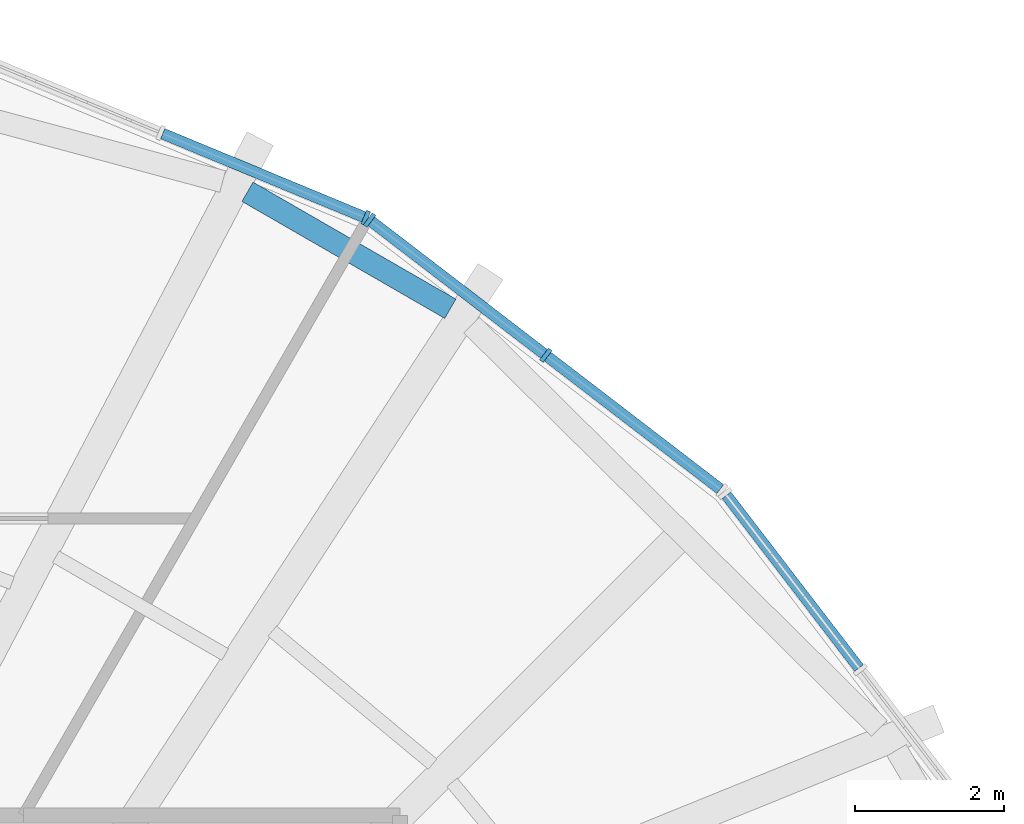
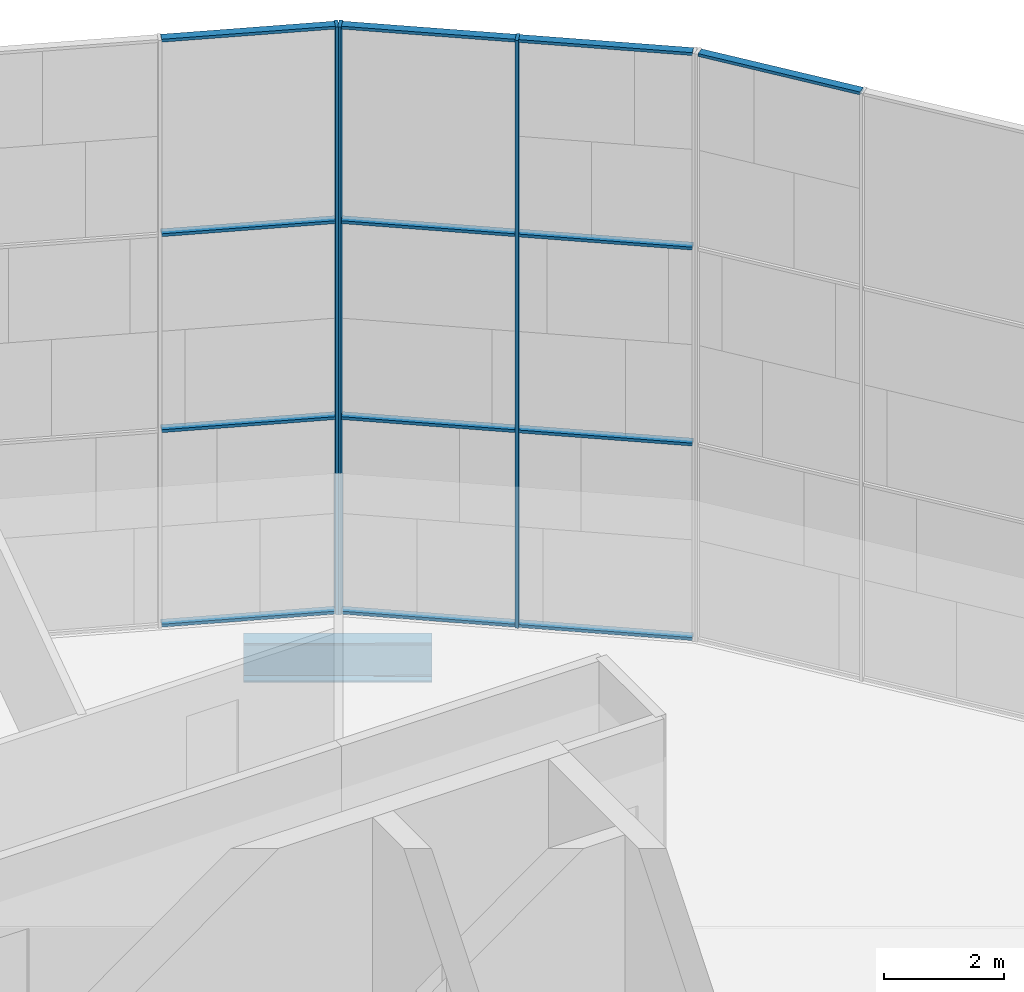
# One storey, part 8 of 23: 16 members, 1 beam, 3 elements without a shape of their own.
"""IFC4 building model written with IfcOpenShell, lengths in metres."""

from ifc_helpers import new_model, si_unit, direction, frame, origin, origin_2d, place, context, subcontext, project, spatial, rectangle, i_section, extrude, material, material_profile, profile_set, type_object, element, aggregate, save


model = new_model("IFC4")

# Units and contexts
model_context = context("Model", 3, precision=1e-05, world=origin(), true_north=direction((0.0, 1.0)))
body_context = subcontext(model_context, "Body", "Model", "MODEL_VIEW")
ifc_project = project(units=[si_unit("LENGTHUNIT", "METRE"), si_unit("AREAUNIT", "SQUARE_METRE"), si_unit("VOLUMEUNIT", "CUBIC_METRE"), si_unit("PLANEANGLEUNIT", "RADIAN"), si_unit("MASSUNIT", "GRAM", prefix="KILO")], contexts=[model_context])

# Site, building, storey
site_placement = place(None, origin())
site = spatial("IfcSite", under=ifc_project, at=site_placement, CompositionType="ELEMENT")
building_placement = place(site_placement, origin())
building = spatial("IfcBuilding", under=site, at=building_placement, Name="Golbaran Civic Tower", CompositionType="ELEMENT")
storey_placement = place(building_placement, frame((0.0, 0.0, 220.0)))
storey = spatial("IfcBuildingStorey", under=building, at=storey_placement, Name="L53", CompositionType="ELEMENT", Elevation=220.0)

# Beam
ifc_material_1 = material(Name="Steel S355", Category="steel")
ifc_material_profile_1 = material_profile(ifc_material_1, i_section(OverallWidth=0.300048828125, OverallDepth=0.800048828125, WebThickness=0.017578125, FlangeThickness=0.032958984375, FilletRadius=0.030029296875, at=origin_2d()), Name="HEB 800")
ifc_profile_set_1 = profile_set([ifc_material_profile_1], Name="Steel S355")
beam_type = type_object("IfcBeamType", Name="EDGE BEAM HEB 800", PredefinedType="BEAM", material=ifc_profile_set_1)
beam_placement = place(storey_placement, frame((12.677001953125, 18.82177734375, -0.60009765625), z_axis=(-0.866234572261, 0.499637534438, 0.0), x_axis=(-0.499637534438, -0.866234572261, 0.0)))
element("IfcBeam", 1, at=beam_placement, inside=storey, type_object=beam_type, Name="Edge beam 55.65 L53", PredefinedType="BEAM", context=body_context, shape_type="SweptSolid", body=[
    extrude(i_section(OverallWidth=0.300048828125, OverallDepth=0.800048828125, WebThickness=0.017578125, FlangeThickness=0.032958984375, FilletRadius=0.030029296875, at=origin_2d()), origin(), (0.0, 0.0, 1.0), 3.152587890625),
])

# Curtain wall, members
ifc_material_2 = material(Name="Aluminium and glass", Category="aluminium")
curtain_wall_type = type_object("IfcCurtainWallType", Name="INNER SKIN CURTAIN WALL EXECUTIVE", PredefinedType="NOTDEFINED", material=ifc_material_2)
curtain_wall_1_placement = place(storey_placement, origin())
curtain_wall_1 = element("IfcCurtainWall", 2, at=curtain_wall_1_placement, inside=storey, type_object=curtain_wall_type, Name="Inner skin L53 facet 4 CW2", ObjectType="INNER SKIN", PredefinedType="USERDEFINED")
ifc_material_3 = material(Name="Aluminium", Category="aluminium")
ifc_material_profile_2 = material_profile(ifc_material_3, rectangle(XDim=0.199951171875, YDim=0.06005859375, at=origin_2d()), Name="INNER SKIN CURTAIN WALL EXECUTIVE MULLION")
ifc_profile_set_2 = profile_set([ifc_material_profile_2], Name="Aluminium")
member_type_1 = type_object("IfcMemberType", Name="INNER SKIN CURTAIN WALL EXECUTIVE MULLION", PredefinedType="MULLION", material=ifc_profile_set_2)
member_1_placement = place(storey_placement, frame((13.962646484375, 18.196533203125, 0.0), z_axis=(0.0, 0.0, 1.0), x_axis=(-0.608761428981, -0.793353340312, 0.0)))
member_1 = element("IfcMember", 3, at=member_1_placement, type_object=member_type_1, Name="CW2 mullion 2", PredefinedType="MULLION", context=body_context, shape_type="SweptSolid", body=[
    extrude(rectangle(XDim=0.199951171875, YDim=0.06005859375, at=origin_2d()), origin(), (0.0, 0.0, 1.0), 12.0),
])
member_2_placement = place(storey_placement, frame((11.5908203125, 20.016357421875, 0.0), z_axis=(0.0, 0.0, 1.0), x_axis=(-0.608761428981, -0.793353340312, 0.0)))
member_2 = element("IfcMember", 4, at=member_2_placement, type_object=member_type_1, Name="CW2 mullion 3", PredefinedType="MULLION", context=body_context, shape_type="SweptSolid", body=[
    extrude(rectangle(XDim=0.199951171875, YDim=0.06005859375, at=origin_2d()), origin(), (0.0, 0.0, 1.0), 12.0),
])

# Curtain wall, member
curtain_wall_2_placement = place(storey_placement, origin())
curtain_wall_2 = element("IfcCurtainWall", 5, at=curtain_wall_2_placement, inside=storey, type_object=curtain_wall_type, Name="Inner skin L53 facet 5 CW2", ObjectType="INNER SKIN", PredefinedType="USERDEFINED")
member_3_placement = place(storey_placement, frame((11.539306640625, 20.046142578125, 0.0), z_axis=(0.0, 0.0, 1.0), x_axis=(-0.382683432317, -0.923879532531, 0.0)))
member_3 = element("IfcMember", 6, at=member_3_placement, type_object=member_type_1, Name="CW2 mullion 1", PredefinedType="MULLION", context=body_context, shape_type="SweptSolid", body=[
    extrude(rectangle(XDim=0.199951171875, YDim=0.06005859375, at=origin_2d()), origin(), (0.0, 0.0, 1.0), 12.0),
])

curtain_wall_3_placement = place(storey_placement, origin())
curtain_wall_3 = element("IfcCurtainWall", 7, at=curtain_wall_3_placement, inside=storey, type_object=curtain_wall_type, Name="Inner skin L53 facet 3 CW2", ObjectType="INNER SKIN", PredefinedType="USERDEFINED")
ifc_material_profile_3 = material_profile(ifc_material_3, rectangle(XDim=0.14990234375, YDim=0.06005859375, at=origin_2d()), Name="INNER SKIN CURTAIN WALL EXECUTIVE TRANSOM")
ifc_profile_set_3 = profile_set([ifc_material_profile_3], Name="Aluminium")
member_type_2 = type_object("IfcMemberType", Name="INNER SKIN CURTAIN WALL EXECUTIVE TRANSOM", PredefinedType="USERDEFINED", material=ifc_profile_set_3)
member_4_placement = place(storey_placement, frame((18.17822265625, 13.986328125, 11.969970703125), z_axis=(-0.608763898154, 0.793351445643, 0.0), x_axis=(-0.793351445643, -0.608763898154, 0.0)))
member_4 = element("IfcMember", 8, at=member_4_placement, type_object=member_type_2, Name="CW2 transom 2.4", ObjectType="TRANSOM", PredefinedType="USERDEFINED", context=body_context, shape_type="SweptSolid", body=[
    extrude(rectangle(XDim=0.14990234375, YDim=0.06005859375, at=origin_2d()), origin(), (0.0, 0.0, 1.0), 2.9296875),
])
aggregate(curtain_wall_3, [member_4])

# Member
member_5_placement = place(storey_placement, frame((16.310546875, 16.394775390625, 0.030029296875), z_axis=(-0.793351445643, 0.608763898154, 0.0), x_axis=(-0.608763898154, -0.793351445643, 0.0)))
member_5 = element("IfcMember", 9, at=member_5_placement, type_object=member_type_2, Name="CW2 transom 1.1", ObjectType="TRANSOM", PredefinedType="USERDEFINED", context=body_context, shape_type="SweptSolid", body=[
    extrude(rectangle(XDim=0.14990234375, YDim=0.06005859375, at=origin_2d()), origin(), (0.0, 0.0, 1.0), 2.9296875),
])

member_6_placement = place(storey_placement, frame((16.310546875, 16.394775390625, 4.0), z_axis=(-0.793351445643, 0.608763898154, 0.0), x_axis=(-0.608763898154, -0.793351445643, 0.0)))
member_6 = element("IfcMember", 10, at=member_6_placement, type_object=member_type_2, Name="CW2 transom 1.2", ObjectType="TRANSOM", PredefinedType="USERDEFINED", context=body_context, shape_type="SweptSolid", body=[
    extrude(rectangle(XDim=0.14990234375, YDim=0.06005859375, at=origin_2d()), origin(), (0.0, 0.0, 1.0), 2.9296875),
])

member_7_placement = place(storey_placement, frame((16.310546875, 16.394775390625, 8.0), z_axis=(-0.793351445643, 0.608763898154, 0.0), x_axis=(-0.608763898154, -0.793351445643, 0.0)))
member_7 = element("IfcMember", 11, at=member_7_placement, type_object=member_type_2, Name="CW2 transom 1.3", ObjectType="TRANSOM", PredefinedType="USERDEFINED", context=body_context, shape_type="SweptSolid", body=[
    extrude(rectangle(XDim=0.14990234375, YDim=0.06005859375, at=origin_2d()), origin(), (0.0, 0.0, 1.0), 2.9296875),
])

member_8_placement = place(storey_placement, frame((16.310546875, 16.394775390625, 11.969970703125), z_axis=(-0.793351445643, 0.608763898154, 0.0), x_axis=(-0.608763898154, -0.793351445643, 0.0)))
member_8 = element("IfcMember", 12, at=member_8_placement, type_object=member_type_2, Name="CW2 transom 1.4", ObjectType="TRANSOM", PredefinedType="USERDEFINED", context=body_context, shape_type="SweptSolid", body=[
    extrude(rectangle(XDim=0.14990234375, YDim=0.06005859375, at=origin_2d()), origin(), (0.0, 0.0, 1.0), 2.9296875),
])

member_9_placement = place(storey_placement, frame((13.938720703125, 18.214599609375, 0.030029296875), z_axis=(-0.793351445643, 0.608763898154, 0.0), x_axis=(-0.608763898154, -0.793351445643, 0.0)))
member_9 = element("IfcMember", 13, at=member_9_placement, type_object=member_type_2, Name="CW2 transom 2.1", ObjectType="TRANSOM", PredefinedType="USERDEFINED", context=body_context, shape_type="SweptSolid", body=[
    extrude(rectangle(XDim=0.14990234375, YDim=0.06005859375, at=origin_2d()), origin(), (0.0, 0.0, 1.0), 2.9296875),
])

member_10_placement = place(storey_placement, frame((13.938720703125, 18.214599609375, 4.0), z_axis=(-0.793351445643, 0.608763898154, 0.0), x_axis=(-0.608763898154, -0.793351445643, 0.0)))
member_10 = element("IfcMember", 14, at=member_10_placement, type_object=member_type_2, Name="CW2 transom 2.2", ObjectType="TRANSOM", PredefinedType="USERDEFINED", context=body_context, shape_type="SweptSolid", body=[
    extrude(rectangle(XDim=0.14990234375, YDim=0.06005859375, at=origin_2d()), origin(), (0.0, 0.0, 1.0), 2.9296875),
])

member_11_placement = place(storey_placement, frame((13.938720703125, 18.214599609375, 8.0), z_axis=(-0.793351445643, 0.608763898154, 0.0), x_axis=(-0.608763898154, -0.793351445643, 0.0)))
member_11 = element("IfcMember", 15, at=member_11_placement, type_object=member_type_2, Name="CW2 transom 2.3", ObjectType="TRANSOM", PredefinedType="USERDEFINED", context=body_context, shape_type="SweptSolid", body=[
    extrude(rectangle(XDim=0.14990234375, YDim=0.06005859375, at=origin_2d()), origin(), (0.0, 0.0, 1.0), 2.9296875),
])

member_12_placement = place(storey_placement, frame((13.938720703125, 18.214599609375, 11.969970703125), z_axis=(-0.793351445643, 0.608763898154, 0.0), x_axis=(-0.608763898154, -0.793351445643, 0.0)))
member_12 = element("IfcMember", 16, at=member_12_placement, type_object=member_type_2, Name="CW2 transom 2.4", ObjectType="TRANSOM", PredefinedType="USERDEFINED", context=body_context, shape_type="SweptSolid", body=[
    extrude(rectangle(XDim=0.14990234375, YDim=0.06005859375, at=origin_2d()), origin(), (0.0, 0.0, 1.0), 2.9296875),
])

aggregate(curtain_wall_1, [member_1, member_2, member_5, member_6, member_7, member_8, member_9, member_10, member_11, member_12])

member_13_placement = place(storey_placement, frame((11.511474609375, 20.0576171875, 0.030029296875), z_axis=(-0.923878694324, 0.382685455921, 0.0), x_axis=(-0.382685455921, -0.923878694324, 0.0)))
member_13 = element("IfcMember", 17, at=member_13_placement, type_object=member_type_2, Name="CW2 transom 1.1", ObjectType="TRANSOM", PredefinedType="USERDEFINED", context=body_context, shape_type="SweptSolid", body=[
    extrude(rectangle(XDim=0.14990234375, YDim=0.06005859375, at=origin_2d()), origin(), (0.0, 0.0, 1.0), 2.929443359375),
])

member_14_placement = place(storey_placement, frame((11.511474609375, 20.0576171875, 4.0), z_axis=(-0.923878694324, 0.382685455921, 0.0), x_axis=(-0.382685455921, -0.923878694324, 0.0)))
member_14 = element("IfcMember", 18, at=member_14_placement, type_object=member_type_2, Name="CW2 transom 1.2", ObjectType="TRANSOM", PredefinedType="USERDEFINED", context=body_context, shape_type="SweptSolid", body=[
    extrude(rectangle(XDim=0.14990234375, YDim=0.06005859375, at=origin_2d()), origin(), (0.0, 0.0, 1.0), 2.929443359375),
])

member_15_placement = place(storey_placement, frame((11.511474609375, 20.0576171875, 8.0), z_axis=(-0.923878694324, 0.382685455921, 0.0), x_axis=(-0.382685455921, -0.923878694324, 0.0)))
member_15 = element("IfcMember", 19, at=member_15_placement, type_object=member_type_2, Name="CW2 transom 1.3", ObjectType="TRANSOM", PredefinedType="USERDEFINED", context=body_context, shape_type="SweptSolid", body=[
    extrude(rectangle(XDim=0.14990234375, YDim=0.06005859375, at=origin_2d()), origin(), (0.0, 0.0, 1.0), 2.929443359375),
])

member_16_placement = place(storey_placement, frame((11.511474609375, 20.0576171875, 11.969970703125), z_axis=(-0.923878694324, 0.382685455921, 0.0), x_axis=(-0.382685455921, -0.923878694324, 0.0)))
member_16 = element("IfcMember", 20, at=member_16_placement, type_object=member_type_2, Name="CW2 transom 1.4", ObjectType="TRANSOM", PredefinedType="USERDEFINED", context=body_context, shape_type="SweptSolid", body=[
    extrude(rectangle(XDim=0.14990234375, YDim=0.06005859375, at=origin_2d()), origin(), (0.0, 0.0, 1.0), 2.929443359375),
])

aggregate(curtain_wall_2, [member_3, member_13, member_14, member_15, member_16])

save(model, "model.ifc")
